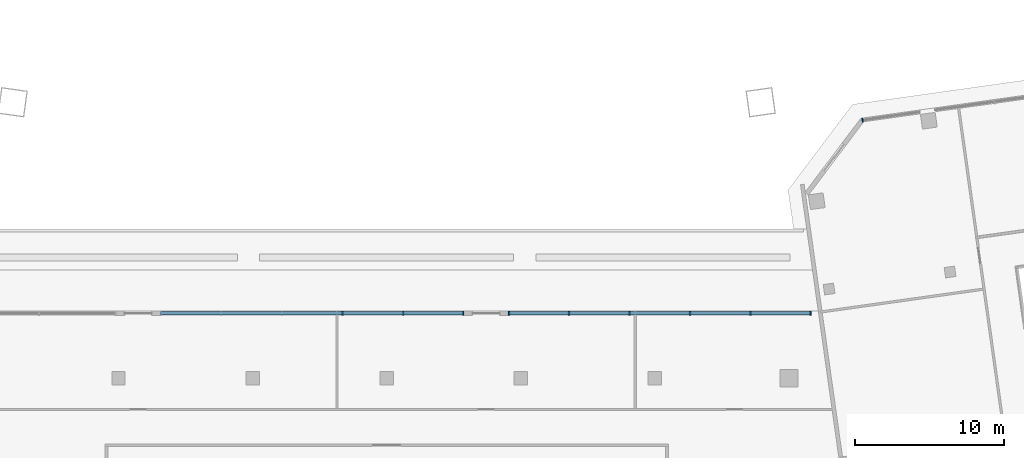
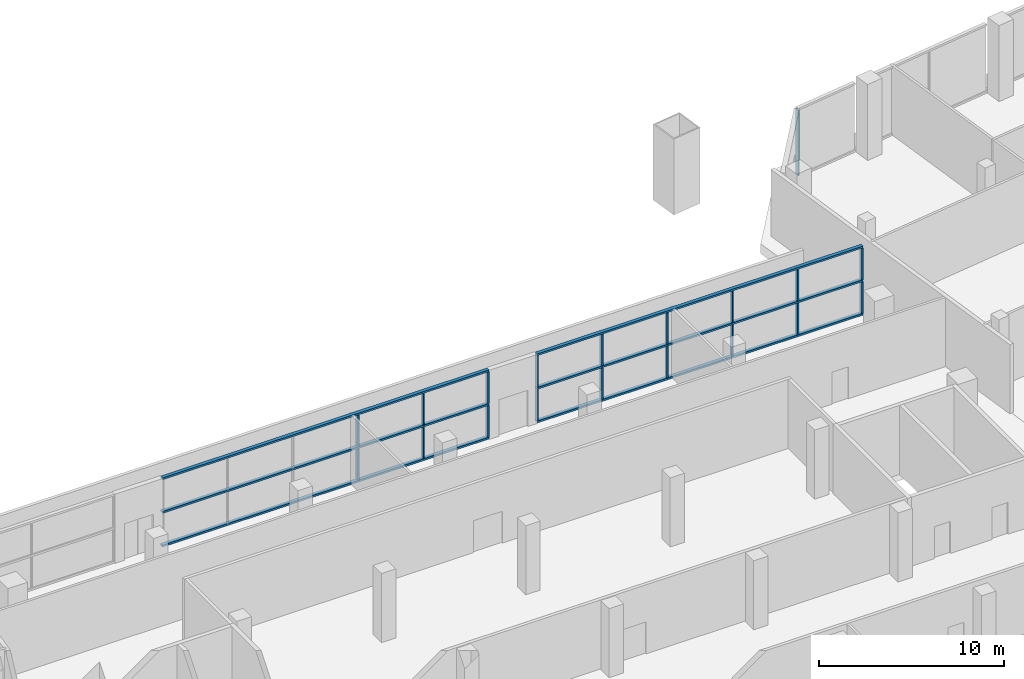
# One storey, part 5 of 21: 25 members, 3 elements without a shape of their own.
"""IFC4 building model written with IfcOpenShell, lengths in metres."""

from ifc_helpers import new_model, si_unit, direction, frame, origin, origin_2d, place, context, subcontext, project, spatial, rectangle, extrude, material, material_profile, profile_set, type_object, element, aggregate, save


model = new_model("IFC4")

# Units and contexts
model_context = context("Model", 3, precision=1e-05, world=origin(), true_north=direction((0.0, 1.0)))
body_context = subcontext(model_context, "Body", "Model", "MODEL_VIEW")
ifc_project = project(units=[si_unit("LENGTHUNIT", "METRE"), si_unit("AREAUNIT", "SQUARE_METRE"), si_unit("VOLUMEUNIT", "CUBIC_METRE"), si_unit("PLANEANGLEUNIT", "RADIAN"), si_unit("MASSUNIT", "GRAM", prefix="KILO")], contexts=[model_context])

# Site, building, storey
site_placement = place(None, origin())
site = spatial("IfcSite", under=ifc_project, at=site_placement, CompositionType="ELEMENT")
building_placement = place(site_placement, origin())
building = spatial("IfcBuilding", under=site, at=building_placement, Name="Mirante Cascada Hotel Towers", CompositionType="ELEMENT")
storey_placement = place(building_placement, frame((0.0, 0.0, 34.5)))
storey = spatial("IfcBuildingStorey", under=building, at=storey_placement, Name="L05", CompositionType="ELEMENT", Elevation=34.5)

# Curtain wall, member
ifc_material_1 = material(Name="Aluminium mullion and transom frame with clear laminated glass", Category="aluminium")
curtain_wall_type = type_object("IfcCurtainWallType", Name="Podium curtain wall ECW3", PredefinedType="NOTDEFINED", material=ifc_material_1)
curtain_wall_1_placement = place(storey_placement, origin())
curtain_wall_1 = element("IfcCurtainWall", 1, at=curtain_wall_1_placement, inside=storey, type_object=curtain_wall_type, Name="Front podium glazing T2 L05", PredefinedType="NOTDEFINED")
ifc_material_2 = material(Name="Anodised aluminium extrusion", Category="aluminium")
ifc_material_profile_1 = material_profile(ifc_material_2, rectangle(XDim=0.26, YDim=0.08, at=origin_2d()), Name="ECW3 MULLION 80x260")
ifc_profile_set_1 = profile_set([ifc_material_profile_1], Name="Anodised aluminium extrusion")
member_type_1 = type_object("IfcMemberType", Name="ECW3 mullion 80x260", PredefinedType="MULLION", material=ifc_profile_set_1)
member_1_placement = place(storey_placement, frame((31.9339, 17.307, 0.12), z_axis=(0.0, 0.0, 1.0), x_axis=(0.1391731, -0.9902681, 0.0)))
member_1 = element("IfcMember", 2, at=member_1_placement, type_object=member_type_1, Name="ECW3 mullion 15", PredefinedType="MULLION", context=body_context, shape_type="SweptSolid", body=[
    extrude(rectangle(XDim=0.26, YDim=0.08, at=origin_2d()), origin(), (0.0, 0.0, 1.0), 4.31),
])
aggregate(curtain_wall_1, [member_1])

# Curtain wall, members
curtain_wall_2_placement = place(storey_placement, origin())
curtain_wall_2 = element("IfcCurtainWall", 3, at=curtain_wall_2_placement, inside=storey, type_object=curtain_wall_type, Name="Podium curtain wall L05 run 3.1", PredefinedType="NOTDEFINED")
member_2_placement = place(storey_placement, frame((28.4406, 4.35, 0.12), z_axis=(0.0, 0.0, 1.0), x_axis=(0.0, -1.0, 0.0)))
member_2 = element("IfcMember", 4, at=member_2_placement, type_object=member_type_1, Name="ECW3 mullion 1", PredefinedType="MULLION", context=body_context, shape_type="SweptSolid", body=[
    extrude(rectangle(XDim=0.26, YDim=0.08, at=origin_2d()), origin(), (0.0, 0.0, 1.0), 2.095),
])
member_3_placement = place(storey_placement, frame((28.4406, 4.35, 2.335), z_axis=(0.0, 0.0, 1.0), x_axis=(0.0, -1.0, 0.0)))
member_3 = element("IfcMember", 5, at=member_3_placement, type_object=member_type_1, Name="ECW3 mullion 1", PredefinedType="MULLION", context=body_context, shape_type="SweptSolid", body=[
    extrude(rectangle(XDim=0.26, YDim=0.08, at=origin_2d()), origin(), (0.0, 0.0, 1.0), 2.095),
])
member_4_placement = place(storey_placement, frame((24.4185, 4.35, 0.12), z_axis=(0.0, 0.0, 1.0), x_axis=(0.0, -1.0, 0.0)))
member_4 = element("IfcMember", 6, at=member_4_placement, type_object=member_type_1, Name="ECW3 mullion 2", PredefinedType="MULLION", context=body_context, shape_type="SweptSolid", body=[
    extrude(rectangle(XDim=0.26, YDim=0.08, at=origin_2d()), origin(), (0.0, 0.0, 1.0), 2.095),
])
member_5_placement = place(storey_placement, frame((24.4185, 4.35, 2.335), z_axis=(0.0, 0.0, 1.0), x_axis=(0.0, -1.0, 0.0)))
member_5 = element("IfcMember", 7, at=member_5_placement, type_object=member_type_1, Name="ECW3 mullion 2", PredefinedType="MULLION", context=body_context, shape_type="SweptSolid", body=[
    extrude(rectangle(XDim=0.26, YDim=0.08, at=origin_2d()), origin(), (0.0, 0.0, 1.0), 2.095),
])
member_6_placement = place(storey_placement, frame((20.3564, 4.35, 0.12), z_axis=(0.0, 0.0, 1.0), x_axis=(0.0, -1.0, 0.0)))
member_6 = element("IfcMember", 8, at=member_6_placement, type_object=member_type_1, Name="ECW3 mullion 3", PredefinedType="MULLION", context=body_context, shape_type="SweptSolid", body=[
    extrude(rectangle(XDim=0.26, YDim=0.08, at=origin_2d()), origin(), (0.0, 0.0, 1.0), 2.095),
])
member_7_placement = place(storey_placement, frame((20.3564, 4.35, 2.335), z_axis=(0.0, 0.0, 1.0), x_axis=(0.0, -1.0, 0.0)))
member_7 = element("IfcMember", 9, at=member_7_placement, type_object=member_type_1, Name="ECW3 mullion 3", PredefinedType="MULLION", context=body_context, shape_type="SweptSolid", body=[
    extrude(rectangle(XDim=0.26, YDim=0.08, at=origin_2d()), origin(), (0.0, 0.0, 1.0), 2.095),
])
member_8_placement = place(storey_placement, frame((16.2942, 4.35, 0.12), z_axis=(0.0, 0.0, 1.0), x_axis=(0.0, -1.0, 0.0)))
member_8 = element("IfcMember", 10, at=member_8_placement, type_object=member_type_1, Name="ECW3 mullion 4", PredefinedType="MULLION", context=body_context, shape_type="SweptSolid", body=[
    extrude(rectangle(XDim=0.26, YDim=0.08, at=origin_2d()), origin(), (0.0, 0.0, 1.0), 2.095),
])
member_9_placement = place(storey_placement, frame((16.2942, 4.35, 2.335), z_axis=(0.0, 0.0, 1.0), x_axis=(0.0, -1.0, 0.0)))
member_9 = element("IfcMember", 11, at=member_9_placement, type_object=member_type_1, Name="ECW3 mullion 4", PredefinedType="MULLION", context=body_context, shape_type="SweptSolid", body=[
    extrude(rectangle(XDim=0.26, YDim=0.08, at=origin_2d()), origin(), (0.0, 0.0, 1.0), 2.095),
])
member_10_placement = place(storey_placement, frame((12.2321, 4.35, 0.12), z_axis=(0.0, 0.0, 1.0), x_axis=(0.0, -1.0, 0.0)))
member_10 = element("IfcMember", 12, at=member_10_placement, type_object=member_type_1, Name="ECW3 mullion 5", PredefinedType="MULLION", context=body_context, shape_type="SweptSolid", body=[
    extrude(rectangle(XDim=0.26, YDim=0.08, at=origin_2d()), origin(), (0.0, 0.0, 1.0), 2.095),
])
member_11_placement = place(storey_placement, frame((12.2321, 4.35, 2.335), z_axis=(0.0, 0.0, 1.0), x_axis=(0.0, -1.0, 0.0)))
member_11 = element("IfcMember", 13, at=member_11_placement, type_object=member_type_1, Name="ECW3 mullion 5", PredefinedType="MULLION", context=body_context, shape_type="SweptSolid", body=[
    extrude(rectangle(XDim=0.26, YDim=0.08, at=origin_2d()), origin(), (0.0, 0.0, 1.0), 2.095),
])
member_12_placement = place(storey_placement, frame((8.21, 4.35, 0.12), z_axis=(0.0, 0.0, 1.0), x_axis=(0.0, -1.0, 0.0)))
member_12 = element("IfcMember", 14, at=member_12_placement, type_object=member_type_1, Name="ECW3 mullion 6", PredefinedType="MULLION", context=body_context, shape_type="SweptSolid", body=[
    extrude(rectangle(XDim=0.26, YDim=0.08, at=origin_2d()), origin(), (0.0, 0.0, 1.0), 2.095),
])
member_13_placement = place(storey_placement, frame((8.21, 4.35, 2.335), z_axis=(0.0, 0.0, 1.0), x_axis=(0.0, -1.0, 0.0)))
member_13 = element("IfcMember", 15, at=member_13_placement, type_object=member_type_1, Name="ECW3 mullion 6", PredefinedType="MULLION", context=body_context, shape_type="SweptSolid", body=[
    extrude(rectangle(XDim=0.26, YDim=0.08, at=origin_2d()), origin(), (0.0, 0.0, 1.0), 2.095),
])

curtain_wall_3_placement = place(storey_placement, origin())
curtain_wall_3 = element("IfcCurtainWall", 16, at=curtain_wall_3_placement, inside=storey, type_object=curtain_wall_type, Name="Podium curtain wall L05 run 3.3", PredefinedType="NOTDEFINED")
member_14_placement = place(storey_placement, frame((5.13, 4.35, 0.12), z_axis=(0.0, 0.0, 1.0), x_axis=(0.0, -1.0, 0.0)))
member_14 = element("IfcMember", 17, at=member_14_placement, type_object=member_type_1, Name="ECW3 mullion 1", PredefinedType="MULLION", context=body_context, shape_type="SweptSolid", body=[
    extrude(rectangle(XDim=0.26, YDim=0.08, at=origin_2d()), origin(), (0.0, 0.0, 1.0), 2.095),
])
member_15_placement = place(storey_placement, frame((5.13, 4.35, 2.335), z_axis=(0.0, 0.0, 1.0), x_axis=(0.0, -1.0, 0.0)))
member_15 = element("IfcMember", 18, at=member_15_placement, type_object=member_type_1, Name="ECW3 mullion 1", PredefinedType="MULLION", context=body_context, shape_type="SweptSolid", body=[
    extrude(rectangle(XDim=0.26, YDim=0.08, at=origin_2d()), origin(), (0.0, 0.0, 1.0), 2.095),
])
member_16_placement = place(storey_placement, frame((1.1012, 4.35, 0.12), z_axis=(0.0, 0.0, 1.0), x_axis=(0.0, -1.0, 0.0)))
member_16 = element("IfcMember", 19, at=member_16_placement, type_object=member_type_1, Name="ECW3 mullion 2", PredefinedType="MULLION", context=body_context, shape_type="SweptSolid", body=[
    extrude(rectangle(XDim=0.26, YDim=0.08, at=origin_2d()), origin(), (0.0, 0.0, 1.0), 2.095),
])
member_17_placement = place(storey_placement, frame((1.1012, 4.35, 2.335), z_axis=(0.0, 0.0, 1.0), x_axis=(0.0, -1.0, 0.0)))
member_17 = element("IfcMember", 20, at=member_17_placement, type_object=member_type_1, Name="ECW3 mullion 2", PredefinedType="MULLION", context=body_context, shape_type="SweptSolid", body=[
    extrude(rectangle(XDim=0.26, YDim=0.08, at=origin_2d()), origin(), (0.0, 0.0, 1.0), 2.095),
])
member_18_placement = place(storey_placement, frame((-2.9676, 4.35, 0.12), z_axis=(0.0, 0.0, 1.0), x_axis=(0.0, -1.0, 0.0)))
member_18 = element("IfcMember", 21, at=member_18_placement, type_object=member_type_1, Name="ECW3 mullion 3", PredefinedType="MULLION", context=body_context, shape_type="SweptSolid", body=[
    extrude(rectangle(XDim=0.26, YDim=0.08, at=origin_2d()), origin(), (0.0, 0.0, 1.0), 2.095),
])
member_19_placement = place(storey_placement, frame((-2.9676, 4.35, 2.335), z_axis=(0.0, 0.0, 1.0), x_axis=(0.0, -1.0, 0.0)))
member_19 = element("IfcMember", 22, at=member_19_placement, type_object=member_type_1, Name="ECW3 mullion 3", PredefinedType="MULLION", context=body_context, shape_type="SweptSolid", body=[
    extrude(rectangle(XDim=0.26, YDim=0.08, at=origin_2d()), origin(), (0.0, 0.0, 1.0), 2.095),
])

# Member
ifc_material_3 = material(Name="Anodised aluminium extrusion", Category="aluminium")
ifc_material_profile_2 = material_profile(ifc_material_3, rectangle(XDim=0.22, YDim=0.12, at=origin_2d()), Name="ECW3 TRANSOM 120x220")
ifc_profile_set_2 = profile_set([ifc_material_profile_2], Name="Anodised aluminium extrusion")
member_type_2 = type_object("IfcMemberType", Name="ECW3 transom 120x220", PredefinedType="USERDEFINED", material=ifc_profile_set_2)
member_20_placement = place(storey_placement, frame((28.4806, 4.35, 0.06), z_axis=(-1.0, 0.0, 0.0), x_axis=(0.0, -1.0, 0.0)))
member_20 = element("IfcMember", 23, at=member_20_placement, type_object=member_type_2, Name="ECW3 sill transom", ObjectType="TRANSOM", PredefinedType="USERDEFINED", context=body_context, shape_type="SweptSolid", body=[
    extrude(rectangle(XDim=0.22, YDim=0.12, at=origin_2d()), origin(), (0.0, 0.0, 1.0), 20.3106),
])

member_21_placement = place(storey_placement, frame((28.4806, 4.35, 2.275), z_axis=(-1.0, 0.0, 0.0), x_axis=(0.0, -1.0, 0.0)))
member_21 = element("IfcMember", 24, at=member_21_placement, type_object=member_type_2, Name="ECW3 intermediate transom", ObjectType="TRANSOM", PredefinedType="USERDEFINED", context=body_context, shape_type="SweptSolid", body=[
    extrude(rectangle(XDim=0.22, YDim=0.12, at=origin_2d()), origin(), (0.0, 0.0, 1.0), 20.3106),
])

member_22_placement = place(storey_placement, frame((28.4806, 4.35, 4.49), z_axis=(-1.0, 0.0, 0.0), x_axis=(0.0, -1.0, 0.0)))
member_22 = element("IfcMember", 25, at=member_22_placement, type_object=member_type_2, Name="ECW3 head transom", ObjectType="TRANSOM", PredefinedType="USERDEFINED", context=body_context, shape_type="SweptSolid", body=[
    extrude(rectangle(XDim=0.22, YDim=0.12, at=origin_2d()), origin(), (0.0, 0.0, 1.0), 20.3106),
])

aggregate(curtain_wall_2, [member_20, member_21, member_22, member_2, member_3, member_4, member_5, member_6, member_7, member_8, member_9, member_10, member_11, member_12, member_13])

member_23_placement = place(storey_placement, frame((5.17, 4.35, 0.06), z_axis=(-1.0, 0.0, 0.0), x_axis=(0.0, -1.0, 0.0)))
member_23 = element("IfcMember", 26, at=member_23_placement, type_object=member_type_2, Name="ECW3 sill transom", ObjectType="TRANSOM", PredefinedType="USERDEFINED", context=body_context, shape_type="SweptSolid", body=[
    extrude(rectangle(XDim=0.22, YDim=0.12, at=origin_2d()), origin(), (0.0, 0.0, 1.0), 20.344),
])

member_24_placement = place(storey_placement, frame((5.17, 4.35, 2.275), z_axis=(-1.0, 0.0, 0.0), x_axis=(0.0, -1.0, 0.0)))
member_24 = element("IfcMember", 27, at=member_24_placement, type_object=member_type_2, Name="ECW3 intermediate transom", ObjectType="TRANSOM", PredefinedType="USERDEFINED", context=body_context, shape_type="SweptSolid", body=[
    extrude(rectangle(XDim=0.22, YDim=0.12, at=origin_2d()), origin(), (0.0, 0.0, 1.0), 20.344),
])

member_25_placement = place(storey_placement, frame((5.17, 4.35, 4.49), z_axis=(-1.0, 0.0, 0.0), x_axis=(0.0, -1.0, 0.0)))
member_25 = element("IfcMember", 28, at=member_25_placement, type_object=member_type_2, Name="ECW3 head transom", ObjectType="TRANSOM", PredefinedType="USERDEFINED", context=body_context, shape_type="SweptSolid", body=[
    extrude(rectangle(XDim=0.22, YDim=0.12, at=origin_2d()), origin(), (0.0, 0.0, 1.0), 20.344),
])

aggregate(curtain_wall_3, [member_23, member_24, member_25, member_14, member_15, member_16, member_17, member_18, member_19])

save(model, "model.ifc")
